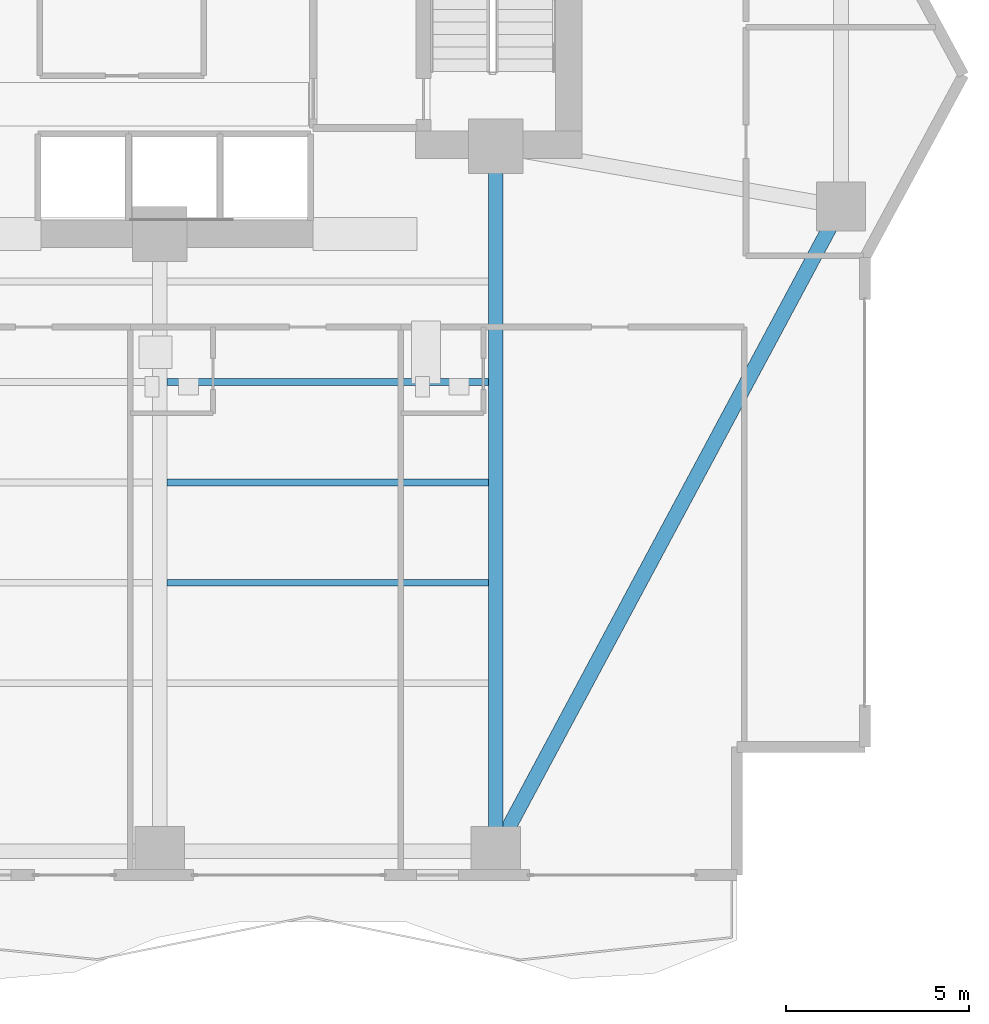
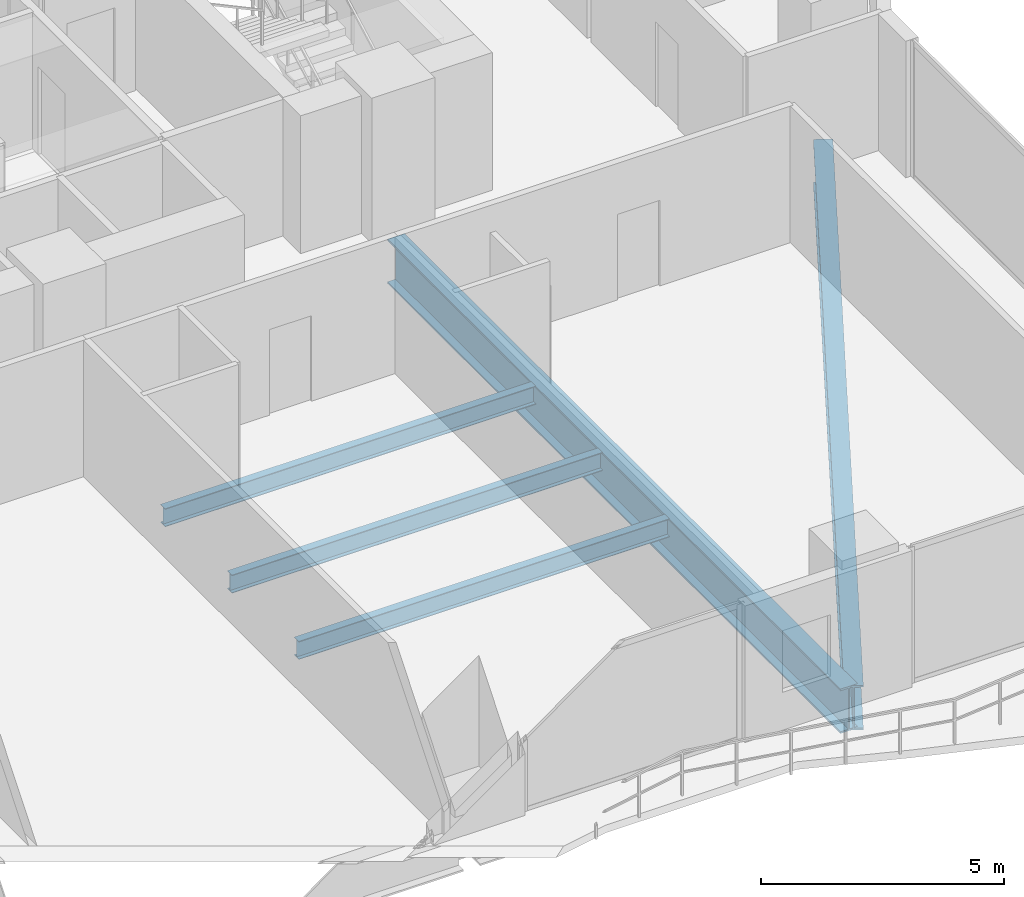
# One storey, part 10 of 29: 5 beams.
"""IFC4 building model written with IfcOpenShell, lengths in metres."""

from ifc_helpers import new_model, si_unit, direction, frame, origin, origin_2d, place, context, subcontext, project, spatial, i_section, extrude, material, material_profile, profile_set, type_object, element, save


model = new_model("IFC4")

# Units and contexts
model_context = context("Model", 3, precision=1e-05, world=origin(), true_north=direction((0.0, 1.0)))
body_context = subcontext(model_context, "Body", "Model", "MODEL_VIEW")
ifc_project = project(units=[si_unit("LENGTHUNIT", "METRE"), si_unit("AREAUNIT", "SQUARE_METRE"), si_unit("VOLUMEUNIT", "CUBIC_METRE"), si_unit("PLANEANGLEUNIT", "RADIAN"), si_unit("MASSUNIT", "GRAM", prefix="KILO")], contexts=[model_context])

# Site, building, storey
site_placement = place(None, origin())
site = spatial("IfcSite", under=ifc_project, at=site_placement, CompositionType="ELEMENT")
building_placement = place(site_placement, origin())
building = spatial("IfcBuilding", under=site, at=building_placement, Name="Zuhayl Quay Hotel", CompositionType="ELEMENT")
storey_placement = place(building_placement, frame((0.0, 0.0, 95.64990234375)))
storey = spatial("IfcBuildingStorey", under=building, at=storey_placement, Name="L23", CompositionType="ELEMENT", Elevation=95.64990234375)

# Beams
ifc_material_1 = material(Name="Steel ASTM A992 Grade 50", Category="steel")
ifc_material_profile_1 = material_profile(ifc_material_1, i_section(OverallWidth=0.18994140625, OverallDepth=0.45703125, WebThickness=0.009033203125, FlangeThickness=0.014404296875, at=origin_2d()), Name="W18X50")
ifc_profile_set_1 = profile_set([ifc_material_profile_1], Name="Steel ASTM A992 Grade 50")
beam_type_1 = type_object("IfcBeamType", Name="BM_J2_W18X50", PredefinedType="JOIST", material=ifc_profile_set_1)
for number, where, z_axis, x_axis, name in (
    (1, (4.7939453125, -7.39990234375, -0.48828125), (1.0, 0.0, 0.0), (0.0, 1.0, 0.0), "L23 Floor Beam FJ_L23_6_3"),
    (2, (4.7939453125, -4.64990234375, -0.48828125), (1.0, 0.0, 0.0), (0.0, 1.0, 0.0), "L23 Floor Beam FJ_L23_7_3"),
    (3, (4.7939453125, -1.89990234375, -0.48828125), (1.0, 0.0, 0.0), (0.0, 1.0, 0.0), "L23 Floor Beam FJ_L23_8_3"),
):
    element("IfcBeam", number, at=place(storey_placement, frame(where, z_axis=z_axis, x_axis=x_axis)), inside=storey, type_object=beam_type_1, Name=name, PredefinedType="JOIST", context=body_context, shape_type="SweptSolid", body=[
        extrude(i_section(OverallWidth=0.18994140625, OverallDepth=0.45703125, WebThickness=0.009033203125, FlangeThickness=0.014404296875, at=origin_2d()), origin(), (0.0, 0.0, 1.0), 8.81201171875),
    ])
ifc_material_2 = material(Name="Steel ASTM A913 Grade 65", Category="steel")
ifc_material_profile_2 = material_profile(ifc_material_2, i_section(OverallWidth=0.404052734375, OverallDepth=1.117919921875, WebThickness=0.026123046875, FlangeThickness=0.044921875, at=origin_2d()), Name="W44X335")
ifc_profile_set_2 = profile_set([ifc_material_profile_2], Name="Steel ASTM A913 Grade 65")
beam_type_2 = type_object("IfcBeamType", Name="BM_TG1_W44X335", PredefinedType="BEAM", material=ifc_profile_set_2)
beam_1_placement = place(storey_placement, frame((13.894287109375, -14.57373046875, -0.81884765625), z_axis=(0.472014911412, 0.881590564494, 0.0), x_axis=(-0.881590564494, 0.472014911412, 0.0)))
element("IfcBeam", 4, at=beam_1_placement, inside=storey, type_object=beam_type_2, Name="L23 Floor Beam RG_L23_04", PredefinedType="BEAM", context=body_context, shape_type="SweptSolid", body=[
    extrude(i_section(OverallWidth=0.404052734375, OverallDepth=1.117919921875, WebThickness=0.026123046875, FlangeThickness=0.044921875, at=origin_2d()), origin(), (0.0, 0.0, 1.0), 19.62060546875),
])
beam_2_placement = place(storey_placement, frame((13.800048828125, -14.550048828125, -0.81884765625), z_axis=(0.0, 1.0, 0.0), x_axis=(-1.0, 0.0, 0.0)))
element("IfcBeam", 5, at=beam_2_placement, inside=storey, type_object=beam_type_2, Name="L23 Floor Beam FG_S_L23_4", PredefinedType="BEAM", context=body_context, shape_type="SweptSolid", body=[
    extrude(i_section(OverallWidth=0.404052734375, OverallDepth=1.117919921875, WebThickness=0.026123046875, FlangeThickness=0.044921875, at=origin_2d()), origin(), (0.0, 0.0, 1.0), 18.650146484375),
])

save(model, "model.ifc")
